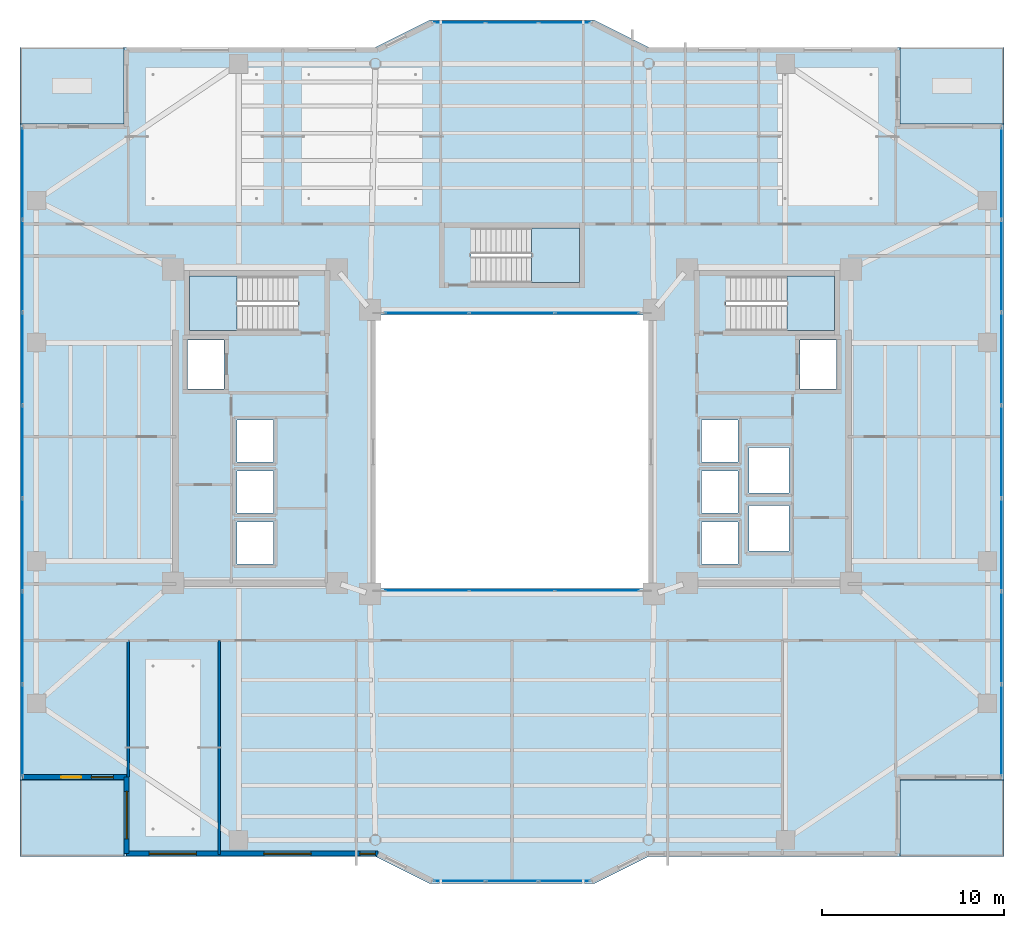
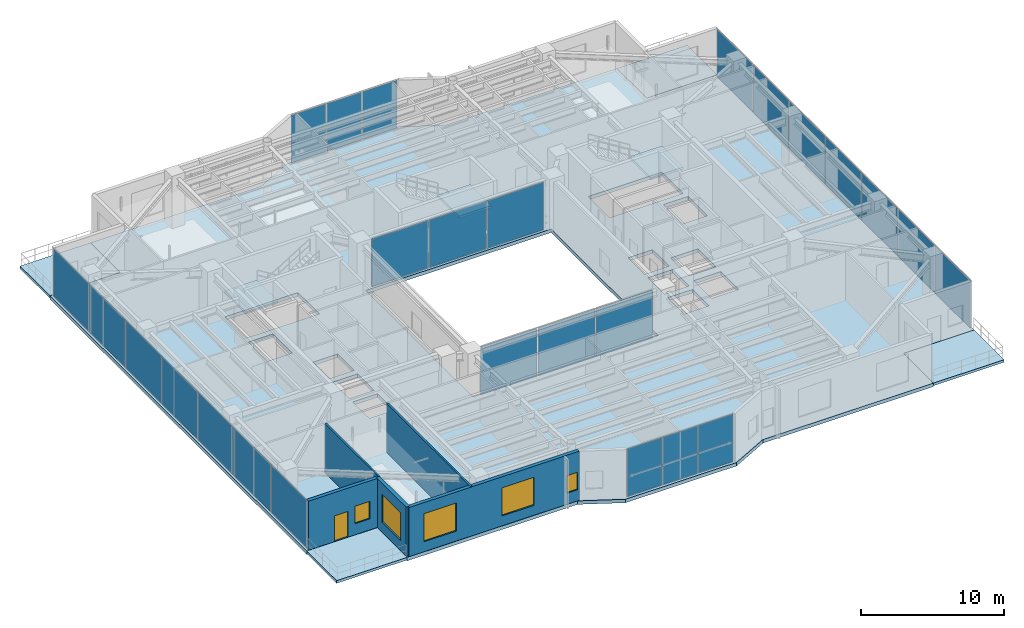
# One storey, part 26 of 38: 26 plates, 8 slabs, 5 walls, 5 windows, 1 door, 6 openings, 9 elements without a shape of their own.
"""IFC4 building model written with IfcOpenShell, lengths in metres."""

from ifc_helpers import new_model, si_unit, direction, frame, frame_2d, origin, origin_2d, place, context, subcontext, project, spatial, polyline, rectangle, outline, extrude, material, layer, layer_set, type_object, element, fill, aggregate, save


model = new_model("IFC4")

# Units and contexts
model_context = context("Model", 3, precision=1e-05, world=origin(), true_north=direction((0.0, 1.0)))
body_context = subcontext(model_context, "Body", "Model", "MODEL_VIEW")
ifc_project = project(units=[si_unit("LENGTHUNIT", "METRE"), si_unit("AREAUNIT", "SQUARE_METRE"), si_unit("VOLUMEUNIT", "CUBIC_METRE"), si_unit("PLANEANGLEUNIT", "RADIAN"), si_unit("MASSUNIT", "GRAM", prefix="KILO")], contexts=[model_context])

# Site, building, storey
site_placement = place(None, origin())
site = spatial("IfcSite", under=ifc_project, at=site_placement, CompositionType="ELEMENT")
building_placement = place(site_placement, origin())
building = spatial("IfcBuilding", under=site, at=building_placement, Name="Tarnavaz Court Tower", CompositionType="ELEMENT")
storey_placement = place(building_placement, frame((0.0, 0.0, 123.0)))
storey = spatial("IfcBuildingStorey", under=building, at=storey_placement, Name="L33", CompositionType="ELEMENT", Elevation=123.0)

# Curtain wall, plates
ifc_material_1 = material(Name="Anodised Aluminium 6063-T6 and Solar Low-E Glazing", Category="aluminium")
ifc_layer_1 = layer(ifc_material_1, 0.139892578125)
ifc_layer_set_1 = layer_set([ifc_layer_1], Name="Anodised Aluminium 6063-T6 and Solar Low-E Glazing")
curtain_wall_type_1 = type_object("IfcCurtainWallType", Name="CW-SYS-04", PredefinedType="NOTDEFINED", material=ifc_layer_set_1)
curtain_wall_1_placement = place(storey_placement, origin())
curtain_wall_1 = element("IfcCurtainWall", 1, at=curtain_wall_1_placement, inside=storey, type_object=curtain_wall_type_1, Name="L33 Badgir Courtyard Curtain Wall S", PredefinedType="NOTDEFINED")
ifc_material_2 = material(Name="Double-Glazed Solar Low-E Glass", Category="glass")
ifc_layer_2 = layer(ifc_material_2, 0.028076171875)
ifc_layer_set_2 = layer_set([ifc_layer_2], Name="Double-Glazed Solar Low-E Glass")
plate_type = type_object("IfcPlateType", Name="CW-PAN-GLZ28", PredefinedType="CURTAIN_PANEL", material=ifc_layer_set_2)
plate_1_placement = place(storey_placement, frame((-4.6611328125, -7.6201171875, 0.06494140625), z_axis=(0.0, 0.0, 1.0), x_axis=(1.0, 0.0, 0.0)))
plate_1 = element("IfcPlate", 2, at=plate_1_placement, type_object=plate_type, Name="CW panel 1.1", PredefinedType="CURTAIN_PANEL", context=body_context, shape_type="SweptSolid", body=[
    extrude(rectangle(XDim=4.5673828125, YDim=0.028076171875, at=origin_2d()), origin(), (0.0, 0.0, 1.0), 4.070068359375),
])
plate_2_placement = place(storey_placement, frame((0.0, -7.6201171875, 0.06494140625), z_axis=(0.0, 0.0, 1.0), x_axis=(1.0, 0.0, 0.0)))
plate_2 = element("IfcPlate", 3, at=plate_2_placement, type_object=plate_type, Name="CW panel 2.1", PredefinedType="CURTAIN_PANEL", context=body_context, shape_type="SweptSolid", body=[
    extrude(rectangle(XDim=4.60498046875, YDim=0.028076171875, at=origin_2d()), origin(), (0.0, 0.0, 1.0), 4.070068359375),
])
plate_3_placement = place(storey_placement, frame((4.6611328125, -7.6201171875, 0.06494140625), z_axis=(0.0, 0.0, 1.0), x_axis=(1.0, 0.0, 0.0)))
plate_3 = element("IfcPlate", 4, at=plate_3_placement, type_object=plate_type, Name="CW panel 3.1", PredefinedType="CURTAIN_PANEL", context=body_context, shape_type="SweptSolid", body=[
    extrude(rectangle(XDim=4.5673828125, YDim=0.028076171875, at=origin_2d()), origin(), (0.0, 0.0, 1.0), 4.070068359375),
])
aggregate(curtain_wall_1, [plate_1, plate_2, plate_3])

curtain_wall_2_placement = place(storey_placement, origin())
curtain_wall_2 = element("IfcCurtainWall", 5, at=curtain_wall_2_placement, inside=storey, type_object=curtain_wall_type_1, Name="L33 Badgir Courtyard Curtain Wall N", PredefinedType="NOTDEFINED")
plate_4_placement = place(storey_placement, frame((4.6611328125, 7.6201171875, 0.06494140625), z_axis=(0.0, 0.0, 1.0), x_axis=(-1.0, 0.0, 0.0)))
plate_4 = element("IfcPlate", 6, at=plate_4_placement, type_object=plate_type, Name="CW panel 1.1", PredefinedType="CURTAIN_PANEL", context=body_context, shape_type="SweptSolid", body=[
    extrude(rectangle(XDim=4.5673828125, YDim=0.028076171875, at=origin_2d()), origin(), (0.0, 0.0, 1.0), 4.070068359375),
])
plate_5_placement = place(storey_placement, frame((0.0, 7.6201171875, 0.06494140625), z_axis=(0.0, 0.0, 1.0), x_axis=(-1.0, 0.0, 0.0)))
plate_5 = element("IfcPlate", 7, at=plate_5_placement, type_object=plate_type, Name="CW panel 2.1", PredefinedType="CURTAIN_PANEL", context=body_context, shape_type="SweptSolid", body=[
    extrude(rectangle(XDim=4.60498046875, YDim=0.028076171875, at=origin_2d()), origin(), (0.0, 0.0, 1.0), 4.070068359375),
])
plate_6_placement = place(storey_placement, frame((-4.6611328125, 7.6201171875, 0.06494140625), z_axis=(0.0, 0.0, 1.0), x_axis=(-1.0, 0.0, 0.0)))
plate_6 = element("IfcPlate", 8, at=plate_6_placement, type_object=plate_type, Name="CW panel 3.1", PredefinedType="CURTAIN_PANEL", context=body_context, shape_type="SweptSolid", body=[
    extrude(rectangle(XDim=4.5673828125, YDim=0.028076171875, at=origin_2d()), origin(), (0.0, 0.0, 1.0), 4.070068359375),
])
aggregate(curtain_wall_2, [plate_4, plate_5, plate_6])

ifc_layer_3 = layer(ifc_material_1, 0.199951171875)
ifc_layer_set_3 = layer_set([ifc_layer_3], Name="Anodised Aluminium 6063-T6 and Solar Low-E Glazing")
curtain_wall_type_2 = type_object("IfcCurtainWallType", Name="CW-SYS-05", PredefinedType="NOTDEFINED", material=ifc_layer_set_3)
curtain_wall_3_placement = place(storey_placement, origin())
curtain_wall_3 = element("IfcCurtainWall", 9, at=curtain_wall_3_placement, inside=storey, type_object=curtain_wall_type_2, Name="L33 Sky-Portal Curtain Wall 2", PredefinedType="NOTDEFINED")
plate_7_placement = place(storey_placement, frame((-26.85009765625, -15.27880859375, 0.06494140625), z_axis=(0.0, 0.0, 1.0), x_axis=(0.0, 1.0, 0.0)))
plate_7 = element("IfcPlate", 10, at=plate_7_placement, type_object=plate_type, Name="CW panel 1.1", PredefinedType="CURTAIN_PANEL", context=body_context, shape_type="SweptSolid", body=[
    extrude(rectangle(XDim=4.972412109375, YDim=0.028076171875, at=origin_2d()), origin(), (0.0, 0.0, 1.0), 4.070068359375),
])
plate_8_placement = place(storey_placement, frame((-26.85009765625, -10.199951171875, 0.06494140625), z_axis=(0.0, 0.0, 1.0), x_axis=(0.0, 1.0, 0.0)))
plate_8 = element("IfcPlate", 11, at=plate_8_placement, type_object=plate_type, Name="CW panel 2.1", PredefinedType="CURTAIN_PANEL", context=body_context, shape_type="SweptSolid", body=[
    extrude(rectangle(XDim=5.014892578125, YDim=0.028076171875, at=origin_2d()), origin(), (0.0, 0.0, 1.0), 4.070068359375),
])
plate_9_placement = place(storey_placement, frame((-26.85009765625, -5.10009765625, 0.06494140625), z_axis=(0.0, 0.0, 1.0), x_axis=(0.0, 1.0, 0.0)))
plate_9 = element("IfcPlate", 12, at=plate_9_placement, type_object=plate_type, Name="CW panel 3.1", PredefinedType="CURTAIN_PANEL", context=body_context, shape_type="SweptSolid", body=[
    extrude(rectangle(XDim=5.014892578125, YDim=0.028076171875, at=origin_2d()), origin(), (0.0, 0.0, 1.0), 4.070068359375),
])
plate_10_placement = place(storey_placement, frame((-26.85009765625, 0.0, 0.06494140625), z_axis=(0.0, 0.0, 1.0), x_axis=(0.0, 1.0, 0.0)))
plate_10 = element("IfcPlate", 13, at=plate_10_placement, type_object=plate_type, Name="CW panel 4.1", PredefinedType="CURTAIN_PANEL", context=body_context, shape_type="SweptSolid", body=[
    extrude(rectangle(XDim=5.014892578125, YDim=0.028076171875, at=origin_2d()), origin(), (0.0, 0.0, 1.0), 4.070068359375),
])
plate_11_placement = place(storey_placement, frame((-26.85009765625, 5.10009765625, 0.06494140625), z_axis=(0.0, 0.0, 1.0), x_axis=(0.0, 1.0, 0.0)))
plate_11 = element("IfcPlate", 14, at=plate_11_placement, type_object=plate_type, Name="CW panel 5.1", PredefinedType="CURTAIN_PANEL", context=body_context, shape_type="SweptSolid", body=[
    extrude(rectangle(XDim=5.014892578125, YDim=0.028076171875, at=origin_2d()), origin(), (0.0, 0.0, 1.0), 4.070068359375),
])
plate_12_placement = place(storey_placement, frame((-26.85009765625, 10.199951171875, 0.06494140625), z_axis=(0.0, 0.0, 1.0), x_axis=(0.0, 1.0, 0.0)))
plate_12 = element("IfcPlate", 15, at=plate_12_placement, type_object=plate_type, Name="CW panel 6.1", PredefinedType="CURTAIN_PANEL", context=body_context, shape_type="SweptSolid", body=[
    extrude(rectangle(XDim=5.014892578125, YDim=0.028076171875, at=origin_2d()), origin(), (0.0, 0.0, 1.0), 4.070068359375),
])
plate_13_placement = place(storey_placement, frame((-26.85009765625, 15.27880859375, 0.06494140625), z_axis=(0.0, 0.0, 1.0), x_axis=(0.0, 1.0, 0.0)))
plate_13 = element("IfcPlate", 16, at=plate_13_placement, type_object=plate_type, Name="CW panel 7.1", PredefinedType="CURTAIN_PANEL", context=body_context, shape_type="SweptSolid", body=[
    extrude(rectangle(XDim=4.972412109375, YDim=0.028076171875, at=origin_2d()), origin(), (0.0, 0.0, 1.0), 4.070068359375),
])
aggregate(curtain_wall_3, [plate_7, plate_8, plate_9, plate_10, plate_11, plate_12, plate_13])

ifc_layer_4 = layer(ifc_material_1, 0.179931640625)
ifc_layer_set_4 = layer_set([ifc_layer_4], Name="Anodised Aluminium 6063-T6 and Solar Low-E Glazing")
curtain_wall_type_3 = type_object("IfcCurtainWallType", Name="CW-SYS-02", PredefinedType="NOTDEFINED", material=ifc_layer_set_4)
curtain_wall_4_placement = place(storey_placement, origin())
curtain_wall_4 = element("IfcCurtainWall", 17, at=curtain_wall_4_placement, inside=storey, type_object=curtain_wall_type_3, Name="L33 Iwan Prow Curtain Wall 7", PredefinedType="NOTDEFINED")
plate_14_placement = place(storey_placement, frame((-2.88134765625, 23.550048828125, 0.06494140625), z_axis=(0.0, 0.0, 1.0), x_axis=(1.0, 0.0, 0.0)))
plate_14 = element("IfcPlate", 18, at=plate_14_placement, type_object=plate_type, Name="CW panel 1.1", PredefinedType="CURTAIN_PANEL", context=body_context, shape_type="SweptSolid", body=[
    extrude(rectangle(XDim=2.78759765625, YDim=0.028076171875, at=origin_2d()), origin(), (0.0, 0.0, 1.0), 4.070068359375),
])
plate_15_placement = place(storey_placement, frame((0.0, 23.550048828125, 0.06494140625), z_axis=(0.0, 0.0, 1.0), x_axis=(1.0, 0.0, 0.0)))
plate_15 = element("IfcPlate", 19, at=plate_15_placement, type_object=plate_type, Name="CW panel 2.1", PredefinedType="CURTAIN_PANEL", context=body_context, shape_type="SweptSolid", body=[
    extrude(rectangle(XDim=2.824951171875, YDim=0.028076171875, at=origin_2d()), origin(), (0.0, 0.0, 1.0), 4.070068359375),
])
plate_16_placement = place(storey_placement, frame((2.88134765625, 23.550048828125, 0.06494140625), z_axis=(0.0, 0.0, 1.0), x_axis=(1.0, 0.0, 0.0)))
plate_16 = element("IfcPlate", 20, at=plate_16_placement, type_object=plate_type, Name="CW panel 3.1", PredefinedType="CURTAIN_PANEL", context=body_context, shape_type="SweptSolid", body=[
    extrude(rectangle(XDim=2.78759765625, YDim=0.028076171875, at=origin_2d()), origin(), (0.0, 0.0, 1.0), 4.070068359375),
])
aggregate(curtain_wall_4, [plate_14, plate_15, plate_16])

curtain_wall_5_placement = place(storey_placement, origin())
curtain_wall_5 = element("IfcCurtainWall", 21, at=curtain_wall_5_placement, inside=storey, type_object=curtain_wall_type_2, Name="L33 Sky-Portal Curtain Wall 12", PredefinedType="NOTDEFINED")
plate_17_placement = place(storey_placement, frame((26.85009765625, 15.27880859375, 0.06494140625), z_axis=(0.0, 0.0, 1.0), x_axis=(0.0, -1.0, 0.0)))
plate_17 = element("IfcPlate", 22, at=plate_17_placement, type_object=plate_type, Name="CW panel 1.1", PredefinedType="CURTAIN_PANEL", context=body_context, shape_type="SweptSolid", body=[
    extrude(rectangle(XDim=4.972412109375, YDim=0.028076171875, at=origin_2d()), origin(), (0.0, 0.0, 1.0), 4.070068359375),
])
plate_18_placement = place(storey_placement, frame((26.85009765625, 10.199951171875, 0.06494140625), z_axis=(0.0, 0.0, 1.0), x_axis=(0.0, -1.0, 0.0)))
plate_18 = element("IfcPlate", 23, at=plate_18_placement, type_object=plate_type, Name="CW panel 2.1", PredefinedType="CURTAIN_PANEL", context=body_context, shape_type="SweptSolid", body=[
    extrude(rectangle(XDim=5.014892578125, YDim=0.028076171875, at=origin_2d()), origin(), (0.0, 0.0, 1.0), 4.070068359375),
])
plate_19_placement = place(storey_placement, frame((26.85009765625, 5.10009765625, 0.06494140625), z_axis=(0.0, 0.0, 1.0), x_axis=(0.0, -1.0, 0.0)))
plate_19 = element("IfcPlate", 24, at=plate_19_placement, type_object=plate_type, Name="CW panel 3.1", PredefinedType="CURTAIN_PANEL", context=body_context, shape_type="SweptSolid", body=[
    extrude(rectangle(XDim=5.014892578125, YDim=0.028076171875, at=origin_2d()), origin(), (0.0, 0.0, 1.0), 4.070068359375),
])
plate_20_placement = place(storey_placement, frame((26.85009765625, 0.0, 0.06494140625), z_axis=(0.0, 0.0, 1.0), x_axis=(0.0, -1.0, 0.0)))
plate_20 = element("IfcPlate", 25, at=plate_20_placement, type_object=plate_type, Name="CW panel 4.1", PredefinedType="CURTAIN_PANEL", context=body_context, shape_type="SweptSolid", body=[
    extrude(rectangle(XDim=5.014892578125, YDim=0.028076171875, at=origin_2d()), origin(), (0.0, 0.0, 1.0), 4.070068359375),
])
plate_21_placement = place(storey_placement, frame((26.85009765625, -5.10009765625, 0.06494140625), z_axis=(0.0, 0.0, 1.0), x_axis=(0.0, -1.0, 0.0)))
plate_21 = element("IfcPlate", 26, at=plate_21_placement, type_object=plate_type, Name="CW panel 5.1", PredefinedType="CURTAIN_PANEL", context=body_context, shape_type="SweptSolid", body=[
    extrude(rectangle(XDim=5.014892578125, YDim=0.028076171875, at=origin_2d()), origin(), (0.0, 0.0, 1.0), 4.070068359375),
])
plate_22_placement = place(storey_placement, frame((26.85009765625, -10.199951171875, 0.06494140625), z_axis=(0.0, 0.0, 1.0), x_axis=(0.0, -1.0, 0.0)))
plate_22 = element("IfcPlate", 27, at=plate_22_placement, type_object=plate_type, Name="CW panel 6.1", PredefinedType="CURTAIN_PANEL", context=body_context, shape_type="SweptSolid", body=[
    extrude(rectangle(XDim=5.014892578125, YDim=0.028076171875, at=origin_2d()), origin(), (0.0, 0.0, 1.0), 4.070068359375),
])
plate_23_placement = place(storey_placement, frame((26.85009765625, -15.27880859375, 0.06494140625), z_axis=(0.0, 0.0, 1.0), x_axis=(0.0, -1.0, 0.0)))
plate_23 = element("IfcPlate", 28, at=plate_23_placement, type_object=plate_type, Name="CW panel 7.1", PredefinedType="CURTAIN_PANEL", context=body_context, shape_type="SweptSolid", body=[
    extrude(rectangle(XDim=4.972412109375, YDim=0.028076171875, at=origin_2d()), origin(), (0.0, 0.0, 1.0), 4.070068359375),
])
aggregate(curtain_wall_5, [plate_17, plate_18, plate_19, plate_20, plate_21, plate_22, plate_23])

curtain_wall_6_placement = place(storey_placement, origin())
curtain_wall_6 = element("IfcCurtainWall", 29, at=curtain_wall_6_placement, inside=storey, type_object=curtain_wall_type_3, Name="L33 Iwan Prow Curtain Wall 17", PredefinedType="NOTDEFINED")
plate_24_placement = place(storey_placement, frame((2.88134765625, -23.550048828125, 0.06494140625), z_axis=(0.0, 0.0, 1.0), x_axis=(-1.0, 0.0, 0.0)))
plate_24 = element("IfcPlate", 30, at=plate_24_placement, type_object=plate_type, Name="CW panel 1.1", PredefinedType="CURTAIN_PANEL", context=body_context, shape_type="SweptSolid", body=[
    extrude(rectangle(XDim=2.78759765625, YDim=0.028076171875, at=origin_2d()), origin(), (0.0, 0.0, 1.0), 4.070068359375),
])
plate_25_placement = place(storey_placement, frame((0.0, -23.550048828125, 0.06494140625), z_axis=(0.0, 0.0, 1.0), x_axis=(-1.0, 0.0, 0.0)))
plate_25 = element("IfcPlate", 31, at=plate_25_placement, type_object=plate_type, Name="CW panel 2.1", PredefinedType="CURTAIN_PANEL", context=body_context, shape_type="SweptSolid", body=[
    extrude(rectangle(XDim=2.824951171875, YDim=0.028076171875, at=origin_2d()), origin(), (0.0, 0.0, 1.0), 4.070068359375),
])
plate_26_placement = place(storey_placement, frame((-2.88134765625, -23.550048828125, 0.06494140625), z_axis=(0.0, 0.0, 1.0), x_axis=(-1.0, 0.0, 0.0)))
plate_26 = element("IfcPlate", 32, at=plate_26_placement, type_object=plate_type, Name="CW panel 3.1", PredefinedType="CURTAIN_PANEL", context=body_context, shape_type="SweptSolid", body=[
    extrude(rectangle(XDim=2.78759765625, YDim=0.028076171875, at=origin_2d()), origin(), (0.0, 0.0, 1.0), 4.070068359375),
])
aggregate(curtain_wall_6, [plate_24, plate_25, plate_26])

# Stair, slab
ifc_material_3 = material(Name="Concrete C40/50", Category="concrete")
stair_type = type_object("IfcStairType", Name="ST-TWR-26R", PredefinedType="HALF_TURN_STAIR", material=ifc_material_3)
stair_1_placement = place(storey_placement, origin())
stair_1 = element("IfcStair", 33, at=stair_1_placement, inside=storey, type_object=stair_type, Name="L33 West Core Pressurized Exit Stair ST-W1", PredefinedType="HALF_TURN_STAIR")
ifc_layer_5 = layer(ifc_material_3, 0.199951171875)
ifc_layer_set_5 = layer_set([ifc_layer_5], Name="Concrete C40/50")
slab_type_1 = type_object("IfcSlabType", Name="SL-LAND-200", PredefinedType="LANDING", material=ifc_layer_set_5)
slab_1_placement = place(storey_placement, frame((0.0, 0.0, 2.050048828125)))
slab_1 = element("IfcSlab", 34, at=slab_1_placement, type_object=slab_type_1, Name="ST-W1 landing 1", PredefinedType="LANDING", context=body_context, shape_type="SweptSolid", body=[
    extrude(outline(polyline([(-15.080078125, 9.639892578125), (-17.699951171875, 9.639892578125), (-17.699951171875, 6.64990234375), (-15.080078125, 6.64990234375), (-15.080078125, 9.639892578125)])), origin(), (0.0, 0.0, 1.0), 0.199951171875),
])
aggregate(stair_1, [slab_1])

stair_2_placement = place(storey_placement, origin())
stair_2 = element("IfcStair", 35, at=stair_2_placement, inside=storey, type_object=stair_type, Name="L33 East Core Pressurized Exit Stair ST-E1", PredefinedType="HALF_TURN_STAIR")
slab_2_placement = place(storey_placement, frame((0.0, 0.0, 2.050048828125)))
slab_2 = element("IfcSlab", 36, at=slab_2_placement, type_object=slab_type_1, Name="ST-E1 landing 1", PredefinedType="LANDING", context=body_context, shape_type="SweptSolid", body=[
    extrude(outline(polyline([(15.080078125, 6.64990234375), (17.699951171875, 6.64990234375), (17.699951171875, 9.639892578125), (15.080078125, 9.639892578125), (15.080078125, 6.64990234375)])), origin(), (0.0, 0.0, 1.0), 0.199951171875),
])
aggregate(stair_2, [slab_2])

stair_3_placement = place(storey_placement, origin())
stair_3 = element("IfcStair", 37, at=stair_3_placement, inside=storey, type_object=stair_type, Name="L33 North Ring Pressurized Exit Stair ST-N1", PredefinedType="HALF_TURN_STAIR")
slab_3_placement = place(storey_placement, frame((0.0, 0.0, 2.050048828125)))
slab_3 = element("IfcSlab", 38, at=slab_3_placement, type_object=slab_type_1, Name="ST-N1 landing 1", PredefinedType="LANDING", context=body_context, shape_type="SweptSolid", body=[
    extrude(outline(polyline([(1.080078125, 9.300048828125), (3.699951171875, 9.300048828125), (3.699951171875, 12.2900390625), (1.080078125, 12.2900390625), (1.080078125, 9.300048828125)])), origin(), (0.0, 0.0, 1.0), 0.199951171875),
])
aggregate(stair_3, [slab_3])

# Slabs
ifc_layer_6 = layer(ifc_material_3, 0.300048828125)
ifc_layer_set_6 = layer_set([ifc_layer_6], Name="Concrete C40/50")
slab_type_2 = type_object("IfcSlabType", Name="SL-POD-300", PredefinedType="FLOOR", material=ifc_layer_set_6)
slab_4_placement = place(storey_placement, frame((0.0, 0.0, -0.300048828125)))
element("IfcSlab", 39, at=slab_4_placement, inside=storey, type_object=slab_type_2, Name="L33 Structural Floor Slab", PredefinedType="FLOOR", context=body_context, shape_type="SweptSolid", body=[
    extrude(outline(polyline([(-21.300048828125, -22.199951171875), (-7.5, -22.199951171875), (-4.5, -23.699951171875), (4.5, -23.699951171875), (7.5, -22.199951171875), (21.300048828125, -22.199951171875), (21.300048828125, -18.0), (27.0, -18.0), (27.0, 18.0), (21.300048828125, 18.0), (21.300048828125, 22.199951171875), (7.5, 22.199951171875), (4.5, 23.699951171875), (-4.5, 23.699951171875), (-7.5, 22.199951171875), (-21.300048828125, 22.199951171875), (-21.300048828125, 18.0), (-27.0, 18.0), (-27.0, -18.0), (-21.300048828125, -18.0), (-21.300048828125, -22.199951171875)]), holes=[polyline([(-7.5, -7.5), (7.5, -7.5), (7.5, 7.5), (-7.5, 7.5), (-7.5, -7.5)]), polyline([(-11.7451171875, 9.639892578125), (-17.699951171875, 9.639892578125), (-17.699951171875, 6.64990234375), (-11.7451171875, 6.64990234375), (-11.7451171875, 9.639892578125)]), polyline([(11.7451171875, 6.64990234375), (17.699951171875, 6.64990234375), (17.699951171875, 9.639892578125), (11.7451171875, 9.639892578125), (11.7451171875, 6.64990234375)]), polyline([(-2.2548828125, 9.300048828125), (3.699951171875, 9.300048828125), (3.699951171875, 12.2900390625), (-2.2548828125, 12.2900390625), (-2.2548828125, 9.300048828125)]), polyline([(-17.800048828125, 3.449951171875), (-15.800048828125, 3.449951171875), (-15.800048828125, 6.14990234375), (-17.800048828125, 6.14990234375), (-17.800048828125, 3.449951171875)]), polyline([(-15.10009765625, -6.14990234375), (-13.10009765625, -6.14990234375), (-13.10009765625, -3.85009765625), (-15.10009765625, -3.85009765625), (-15.10009765625, -6.14990234375)]), polyline([(-15.10009765625, -3.35009765625), (-13.10009765625, -3.35009765625), (-13.10009765625, -1.050048828125), (-15.10009765625, -1.050048828125), (-15.10009765625, -3.35009765625)]), polyline([(-15.10009765625, -0.550048828125), (-13.10009765625, -0.550048828125), (-13.10009765625, 1.75), (-15.10009765625, 1.75), (-15.10009765625, -0.550048828125)]), polyline([(15.800048828125, 3.449951171875), (17.800048828125, 3.449951171875), (17.800048828125, 6.14990234375), (15.800048828125, 6.14990234375), (15.800048828125, 3.449951171875)]), polyline([(10.39990234375, -6.14990234375), (12.39990234375, -6.14990234375), (12.39990234375, -3.85009765625), (10.39990234375, -3.85009765625), (10.39990234375, -6.14990234375)]), polyline([(10.39990234375, -3.35009765625), (12.39990234375, -3.35009765625), (12.39990234375, -1.050048828125), (10.39990234375, -1.050048828125), (10.39990234375, -3.35009765625)]), polyline([(10.39990234375, -0.550048828125), (12.39990234375, -0.550048828125), (12.39990234375, 1.75), (10.39990234375, 1.75), (10.39990234375, -0.550048828125)]), polyline([(13.0, -5.449951171875), (15.199951171875, -5.449951171875), (15.199951171875, -2.949951171875), (13.0, -2.949951171875), (13.0, -5.449951171875)]), polyline([(13.0, -2.25), (15.199951171875, -2.25), (15.199951171875, 0.25), (13.0, 0.25), (13.0, -2.25)])]), origin(), (0.0, 0.0, 1.0), 0.300048828125),
])
ifc_layer_7 = layer(ifc_material_3, 0.219970703125)
ifc_layer_set_7 = layer_set([ifc_layer_7], Name="Concrete C40/50")
slab_type_3 = type_object("IfcSlabType", Name="SL-TERR-220", PredefinedType="FLOOR", material=ifc_layer_set_7)
slab_5_placement = place(storey_placement, frame((0.0, 0.0, -0.219970703125)))
element("IfcSlab", 40, at=slab_5_placement, inside=storey, type_object=slab_type_3, Name="L33 NE Planted Sky Terrace", PredefinedType="FLOOR", context=body_context, shape_type="SweptSolid", body=[
    extrude(outline(polyline([(21.300048828125, 18.0), (27.0, 18.0), (27.0, 22.199951171875), (21.300048828125, 22.199951171875), (21.300048828125, 18.0)])), origin(), (0.0, 0.0, 1.0), 0.219970703125),
])
slab_6_placement = place(storey_placement, frame((0.0, 0.0, -0.219970703125)))
element("IfcSlab", 41, at=slab_6_placement, inside=storey, type_object=slab_type_3, Name="L33 NW Planted Sky Terrace", PredefinedType="FLOOR", context=body_context, shape_type="SweptSolid", body=[
    extrude(outline(polyline([(-27.0, 18.0), (-21.300048828125, 18.0), (-21.300048828125, 22.199951171875), (-27.0, 22.199951171875), (-27.0, 18.0)])), origin(), (0.0, 0.0, 1.0), 0.219970703125),
])
slab_7_placement = place(storey_placement, frame((0.0, 0.0, -0.219970703125)))
element("IfcSlab", 42, at=slab_7_placement, inside=storey, type_object=slab_type_3, Name="L33 SE Planted Sky Terrace", PredefinedType="FLOOR", context=body_context, shape_type="SweptSolid", body=[
    extrude(outline(polyline([(21.300048828125, -22.199951171875), (27.0, -22.199951171875), (27.0, -18.0), (21.300048828125, -18.0), (21.300048828125, -22.199951171875)])), origin(), (0.0, 0.0, 1.0), 0.219970703125),
])
slab_8_placement = place(storey_placement, frame((0.0, 0.0, -0.219970703125)))
element("IfcSlab", 43, at=slab_8_placement, inside=storey, type_object=slab_type_3, Name="L33 SW Planted Sky Terrace", PredefinedType="FLOOR", context=body_context, shape_type="SweptSolid", body=[
    extrude(outline(polyline([(-27.0, -22.199951171875), (-21.300048828125, -22.199951171875), (-21.300048828125, -18.0), (-27.0, -18.0), (-27.0, -22.199951171875)])), origin(), (0.0, 0.0, 1.0), 0.219970703125),
])

# Wall, openings, door, window
ifc_material_4 = material(Name="Precast Concrete C40/50", Category="concrete")
ifc_layer_8 = layer(ifc_material_4, 0.280029296875)
ifc_layer_set_8 = layer_set([ifc_layer_8], Name="Precast Concrete C40/50")
wall_type_1 = type_object("IfcWallType", Name="WL-EXT-280", PredefinedType="SOLIDWALL", material=ifc_layer_set_8)
wall_1_placement = place(storey_placement, frame((-21.14990234375, -17.85009765625, 0.0), z_axis=(0.0, 0.0, 1.0), x_axis=(-1.0, 0.0, 0.0)))
wall_1 = element("IfcWall", 44, at=wall_1_placement, inside=storey, type_object=wall_type_1, Name="L33 Exterior Terracotta Facade Wall 01", PredefinedType="SOLIDWALL", context=body_context, shape_type="SweptSolid", body=[
    extrude(rectangle(XDim=5.7001953125, YDim=0.280029296875, at=frame_2d((2.85009765625, 0.0))), origin(), (0.0, 0.0, 1.0), 4.199951171875),
])
opening_1_placement = place(wall_1_placement, frame((2.5, 0.0, 0.0)))
opening_1 = element("IfcOpeningElement", 45, at=opening_1_placement, cuts=wall_1, Name="Opening TD1", PredefinedType="OPENING", context=body_context, shape_type="SweptSolid", body=[
    extrude(rectangle(XDim=1.10009765625, YDim=2.199951171875, at=frame_2d((0.550048828125, 1.10009765625))), frame((0.0, 0.14990234375, 0.0), z_axis=(0.0, -1.0, 0.0), x_axis=(1.0, 0.0, 0.0)), (0.0, 0.0, 1.0), 0.300048828125),
])
opening_2_placement = place(wall_1_placement, frame((0.72998046875, 0.0, 0.949951171875)))
opening_2 = element("IfcOpeningElement", 46, at=opening_2_placement, cuts=wall_1, Name="Opening W05", PredefinedType="OPENING", context=body_context, shape_type="SweptSolid", body=[
    extrude(rectangle(XDim=1.199951171875, YDim=1.5, at=frame_2d((0.60009765625, 0.75))), frame((0.0, 0.14990234375, 0.0), z_axis=(0.0, -1.0, 0.0), x_axis=(1.0, 0.0, 0.0)), (0.0, 0.0, 1.0), 0.300048828125),
])
ifc_material_5 = material(Name="Thermally Broken Aluminium and Laminated Glass", Category="aluminium")
door_type = type_object("IfcDoorType", Name="DR-TERR-1100", OperationType="NOTDEFINED", PredefinedType="DOOR", material=ifc_material_5)
door_placement = place(opening_1_placement, origin())
door = element("IfcDoor", 47, at=door_placement, inside=storey, type_object=door_type, Name="L33 Sky Terrace Access Door 4", OperationType="SINGLE_SWING_RIGHT", OverallHeight=2.199951171875, OverallWidth=1.10009765625, PredefinedType="DOOR", context=body_context, shape_type="SweptSolid", body=[
    extrude(rectangle(XDim=1.10009765625, YDim=2.199951171875, at=frame_2d((0.550048828125, 1.10009765625))), frame((0.0, 0.02490234375, 0.0), z_axis=(0.0, -1.0, 0.0), x_axis=(1.0, 0.0, 0.0)), (0.0, 0.0, 1.0), 0.050048828125),
])
fill(opening_1, door)
window_type_1 = type_object("IfcWindowType", Name="WN-APT-1200", PartitioningType="SINGLE_PANEL", PredefinedType="WINDOW", material=ifc_material_2)
window_1_placement = place(opening_2_placement, origin())
window_1 = element("IfcWindow", 48, at=window_1_placement, inside=storey, type_object=window_type_1, Name="L33 L33 SW Terrace Salon Window", OverallHeight=1.5, OverallWidth=1.199951171875, PartitioningType="SINGLE_PANEL", PredefinedType="WINDOW", context=body_context, shape_type="SweptSolid", body=[
    extrude(rectangle(XDim=1.199951171875, YDim=1.5, at=frame_2d((0.60009765625, 0.75))), frame((0.0, 0.030029296875, 0.0), z_axis=(0.0, -1.0, 0.0), x_axis=(1.0, 0.0, 0.0)), (0.0, 0.0, 1.0), 0.06005859375),
])
fill(opening_2, window_1)

# Wall, openings, windows
wall_2_placement = place(storey_placement, frame((-7.35009765625, -22.050048828125, 0.0), z_axis=(0.0, 0.0, 1.0), x_axis=(-1.0, 0.0, 0.0)))
wall_2 = element("IfcWall", 49, at=wall_2_placement, inside=storey, type_object=wall_type_1, Name="L33 Exterior Terracotta Facade Wall 19", PredefinedType="SOLIDWALL", context=body_context, shape_type="SweptSolid", body=[
    extrude(rectangle(XDim=13.7998046875, YDim=0.280029296875, at=frame_2d((6.89990234375, 0.0))), origin(), (0.0, 0.0, 1.0), 4.199951171875),
])
opening_3_placement = place(wall_2_placement, frame((0.14697265625, 0.0, 0.949951171875)))
opening_3 = element("IfcOpeningElement", 50, at=opening_3_placement, cuts=wall_2, Name="Opening W15", PredefinedType="OPENING", context=body_context, shape_type="SweptSolid", body=[
    extrude(rectangle(XDim=0.85009765625, YDim=1.5, at=frame_2d((0.425048828125, 0.75))), frame((0.0, 0.14990234375, 0.0), z_axis=(0.0, -1.0, 0.0), x_axis=(1.0, 0.0, 0.0)), (0.0, 0.0, 1.0), 0.300048828125),
])
opening_4_placement = place(wall_2_placement, frame((3.66796875, 0.0, 0.85009765625)))
opening_4 = element("IfcOpeningElement", 51, at=opening_4_placement, cuts=wall_2, Name="Opening W11", PredefinedType="OPENING", context=body_context, shape_type="SweptSolid", body=[
    extrude(rectangle(XDim=2.60009765625, YDim=2.39990234375, at=frame_2d((1.300048828125, 1.199951171875))), frame((0.0, 0.14990234375, 0.0), z_axis=(0.0, -1.0, 0.0), x_axis=(1.0, 0.0, 0.0)), (0.0, 0.0, 1.0), 0.300048828125),
])
opening_5_placement = place(wall_2_placement, frame((9.9658203125, 0.0, 0.85009765625)))
opening_5 = element("IfcOpeningElement", 52, at=opening_5_placement, cuts=wall_2, Name="Opening W11", PredefinedType="OPENING", context=body_context, shape_type="SweptSolid", body=[
    extrude(rectangle(XDim=2.60009765625, YDim=2.39990234375, at=frame_2d((1.300048828125, 1.199951171875))), frame((0.0, 0.14990234375, 0.0), z_axis=(0.0, -1.0, 0.0), x_axis=(1.0, 0.0, 0.0)), (0.0, 0.0, 1.0), 0.300048828125),
])
window_type_2 = type_object("IfcWindowType", Name="WN-APT-850", PartitioningType="SINGLE_PANEL", PredefinedType="WINDOW", material=ifc_material_2)
window_2_placement = place(opening_3_placement, origin())
window_2 = element("IfcWindow", 53, at=window_2_placement, inside=storey, type_object=window_type_2, Name="L33 L33 South-West Cultural Classroom Window", OverallHeight=1.5, OverallWidth=0.85009765625, PartitioningType="SINGLE_PANEL", PredefinedType="WINDOW", context=body_context, shape_type="SweptSolid", body=[
    extrude(rectangle(XDim=0.85009765625, YDim=1.5, at=frame_2d((0.425048828125, 0.75))), frame((0.0, 0.030029296875, 0.0), z_axis=(0.0, -1.0, 0.0), x_axis=(1.0, 0.0, 0.0)), (0.0, 0.0, 1.0), 0.06005859375),
])
fill(opening_3, window_2)
window_type_3 = type_object("IfcWindowType", Name="WN-COM-2600", PartitioningType="TRIPLE_PANEL_VERTICAL", PredefinedType="WINDOW", material=ifc_material_2)
window_3_placement = place(opening_4_placement, origin())
window_3 = element("IfcWindow", 54, at=window_3_placement, inside=storey, type_object=window_type_3, Name="L33 L33 South-West Study Room Window", OverallHeight=2.39990234375, OverallWidth=2.60009765625, PartitioningType="SINGLE_PANEL", PredefinedType="WINDOW", context=body_context, shape_type="SweptSolid", body=[
    extrude(rectangle(XDim=2.60009765625, YDim=2.39990234375, at=frame_2d((1.300048828125, 1.199951171875))), frame((0.0, 0.030029296875, 0.0), z_axis=(0.0, -1.0, 0.0), x_axis=(1.0, 0.0, 0.0)), (0.0, 0.0, 1.0), 0.06005859375),
])
fill(opening_4, window_3)
window_4_placement = place(opening_5_placement, origin())
window_4 = element("IfcWindow", 55, at=window_4_placement, inside=storey, type_object=window_type_3, Name="L33 L33 Daycare Classroom Window", OverallHeight=2.39990234375, OverallWidth=2.60009765625, PartitioningType="SINGLE_PANEL", PredefinedType="WINDOW", context=body_context, shape_type="SweptSolid", body=[
    extrude(rectangle(XDim=2.60009765625, YDim=2.39990234375, at=frame_2d((1.300048828125, 1.199951171875))), frame((0.0, 0.030029296875, 0.0), z_axis=(0.0, -1.0, 0.0), x_axis=(1.0, 0.0, 0.0)), (0.0, 0.0, 1.0), 0.06005859375),
])
fill(opening_5, window_4)

# Wall, opening, window
wall_3_placement = place(storey_placement, frame((-21.14990234375, -22.050048828125, 0.0), z_axis=(0.0, 0.0, 1.0), x_axis=(0.0, 1.0, 0.0)))
wall_3 = element("IfcWall", 56, at=wall_3_placement, inside=storey, type_object=wall_type_1, Name="L33 Exterior Terracotta Facade Wall 20", PredefinedType="SOLIDWALL", context=body_context, shape_type="SweptSolid", body=[
    extrude(rectangle(XDim=4.199951171875, YDim=0.280029296875, at=frame_2d((2.10009765625, 0.0))), origin(), (0.0, 0.0, 1.0), 4.199951171875),
])
opening_6_placement = place(wall_3_placement, frame((0.81787109375, 0.0, 0.85009765625)))
opening_6 = element("IfcOpeningElement", 57, at=opening_6_placement, cuts=wall_3, Name="Opening W11", PredefinedType="OPENING", context=body_context, shape_type="SweptSolid", body=[
    extrude(rectangle(XDim=2.60009765625, YDim=2.39990234375, at=frame_2d((1.300048828125, 1.199951171875))), frame((0.0, 0.14990234375, 0.0), z_axis=(0.0, -1.0, 0.0), x_axis=(1.0, 0.0, 0.0)), (0.0, 0.0, 1.0), 0.300048828125),
])
window_5_placement = place(opening_6_placement, origin())
window_5 = element("IfcWindow", 58, at=window_5_placement, inside=storey, type_object=window_type_3, Name="L33 L33 Daycare Classroom Window", OverallHeight=2.39990234375, OverallWidth=2.60009765625, PartitioningType="SINGLE_PANEL", PredefinedType="WINDOW", context=body_context, shape_type="SweptSolid", body=[
    extrude(rectangle(XDim=2.60009765625, YDim=2.39990234375, at=frame_2d((1.300048828125, 1.199951171875))), frame((0.0, 0.030029296875, 0.0), z_axis=(0.0, -1.0, 0.0), x_axis=(1.0, 0.0, 0.0)), (0.0, 0.0, 1.0), 0.06005859375),
])
fill(opening_6, window_5)

# Walls
ifc_material_6 = material(Name="Gypsum Plasterboard Acoustic Partition", Category="masonry")
ifc_layer_9 = layer(ifc_material_6, 0.139892578125)
ifc_layer_set_9 = layer_set([ifc_layer_9], Name="Gypsum Plasterboard Acoustic Partition")
wall_type_2 = type_object("IfcWallType", Name="WL-PART-150", PredefinedType="PARTITIONING", material=ifc_layer_set_9)
wall_4_placement = place(storey_placement, frame((-16.070068359375, -22.10009765625, 0.0), z_axis=(0.0, 0.0, 1.0), x_axis=(0.0, 1.0, 0.0)))
element("IfcWall", 59, at=wall_4_placement, inside=storey, type_object=wall_type_2, Name="L33 Interior Partition 081", PredefinedType="PARTITIONING", context=body_context, shape_type="SweptSolid", body=[
    extrude(rectangle(XDim=11.75, YDim=0.139892578125, at=frame_2d((5.875, 0.0))), origin(), (0.0, 0.0, 1.0), 4.199951171875),
])
wall_5_placement = place(storey_placement, frame((-21.050048828125, -17.85009765625, 0.0), z_axis=(0.0, 0.0, 1.0), x_axis=(0.0, 1.0, 0.0)))
element("IfcWall", 60, at=wall_5_placement, inside=storey, type_object=wall_type_2, Name="L33 Interior Partition 091", PredefinedType="PARTITIONING", context=body_context, shape_type="SweptSolid", body=[
    extrude(rectangle(XDim=7.5, YDim=0.139892578125, at=frame_2d((3.75, 0.0))), origin(), (0.0, 0.0, 1.0), 4.199951171875),
])

save(model, "model.ifc")
